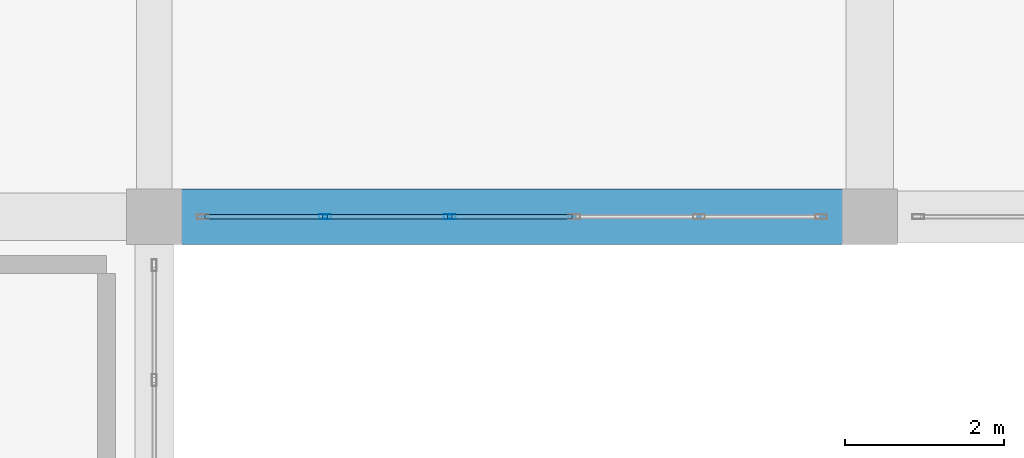
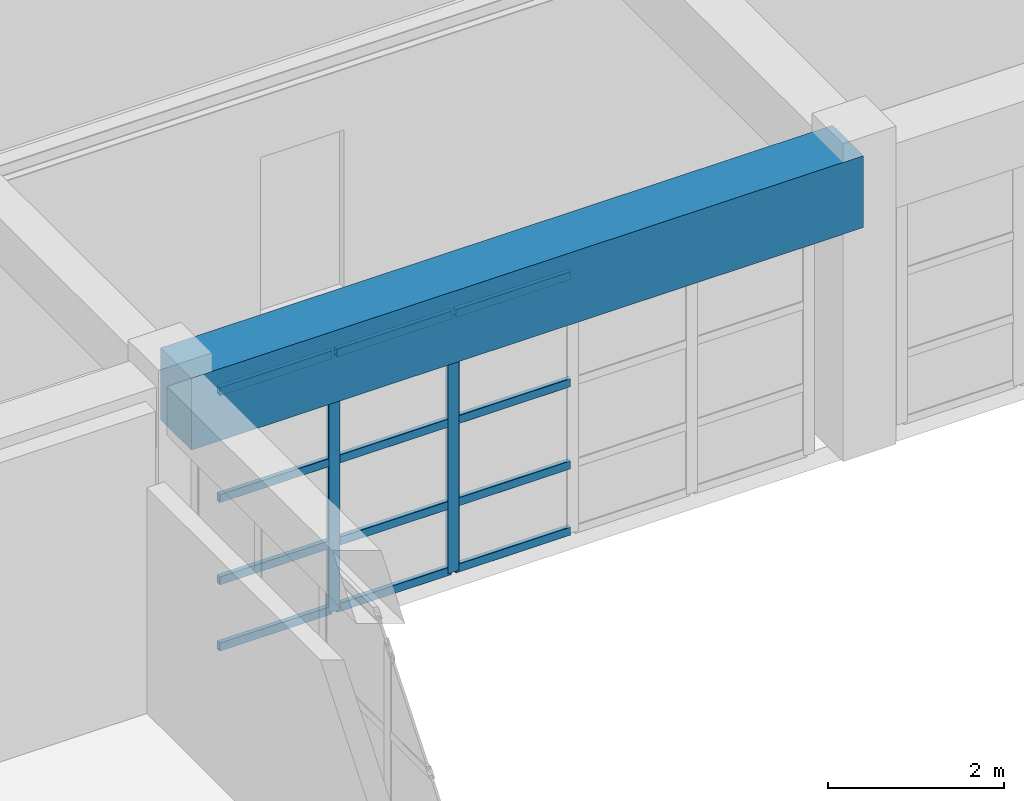
# One storey, part 26 of 133: 14 members, 1 beam, 1 element without a shape of its own.
"""IFC4 building model written with IfcOpenShell, lengths in metres."""

from ifc_helpers import new_model, si_unit, direction, frame, origin, origin_2d, place, context, subcontext, project, spatial, rectangle, hollow_rectangle, extrude, material, material_profile, profile_set, type_object, element, aggregate, save


model = new_model("IFC4")

# Units and contexts
model_context = context("Model", 3, precision=1e-05, world=origin(), true_north=direction((0.0, 1.0)))
body_context = subcontext(model_context, "Body", "Model", "MODEL_VIEW")
ifc_project = project(units=[si_unit("LENGTHUNIT", "METRE"), si_unit("AREAUNIT", "SQUARE_METRE"), si_unit("VOLUMEUNIT", "CUBIC_METRE"), si_unit("PLANEANGLEUNIT", "RADIAN"), si_unit("MASSUNIT", "GRAM", prefix="KILO")], contexts=[model_context])

# Site, building, storey
site_placement = place(None, origin())
site = spatial("IfcSite", under=ifc_project, at=site_placement, CompositionType="ELEMENT")
building_placement = place(site_placement, origin())
building = spatial("IfcBuilding", under=site, at=building_placement, Name="Miravela Opera House", CompositionType="ELEMENT")
storey_placement = place(building_placement, frame((0.0, 0.0, 5.10009765625)))
storey = spatial("IfcBuildingStorey", under=building, at=storey_placement, Name="L01", CompositionType="ELEMENT", Elevation=5.10009765625)

# Curtain wall, members
ifc_material_1 = material(Name="Anodised architectural bronze aluminium 6063-T6", Category="aluminium")
curtain_wall_type = type_object("IfcCurtainWallType", Name="ARC-CW-06", PredefinedType="NOTDEFINED", material=ifc_material_1)
curtain_wall_placement = place(storey_placement, origin())
curtain_wall = element("IfcCurtainWall", 1, at=curtain_wall_placement, inside=storey, type_object=curtain_wall_type, Name="Courtyard Arcade Curtain Wall CW-L01-124", PredefinedType="NOTDEFINED")
ifc_material_profile_1 = material_profile(ifc_material_1, hollow_rectangle(XDim=0.06005859375, YDim=0.14990234375, WallThickness=0.00390625, InnerFilletRadius=0.001953125, OuterFilletRadius=0.00390625, at=origin_2d()), Name="CWM-60X150")
ifc_profile_set_1 = profile_set([ifc_material_profile_1])
member_type_1 = type_object("IfcMemberType", Name="ARC-CWM-150", PredefinedType="MULLION", material=ifc_profile_set_1)
member_1_placement = place(storey_placement, frame((29.14794921875, 28.0, 0.0), z_axis=(0.0, 0.0, 1.0), x_axis=(0.0, 1.0, 0.0)))
member_1 = element("IfcMember", 2, at=member_1_placement, type_object=member_type_1, Name="CW-06 mullion 2", PredefinedType="MULLION", context=body_context, shape_type="SweptSolid", body=[
    extrude(hollow_rectangle(XDim=0.06005859375, YDim=0.14990234375, WallThickness=0.00390625, InnerFilletRadius=0.001953125, OuterFilletRadius=0.00390625, at=origin_2d()), origin(), (0.0, 0.0, 1.0), 3.60986328125),
])
member_2_placement = place(storey_placement, frame((30.716064453125, 28.0, 0.0), z_axis=(0.0, 0.0, 1.0), x_axis=(0.0, 1.0, 0.0)))
member_2 = element("IfcMember", 3, at=member_2_placement, type_object=member_type_1, Name="CW-06 mullion 3", PredefinedType="MULLION", context=body_context, shape_type="SweptSolid", body=[
    extrude(hollow_rectangle(XDim=0.06005859375, YDim=0.14990234375, WallThickness=0.00390625, InnerFilletRadius=0.001953125, OuterFilletRadius=0.00390625, at=origin_2d()), origin(), (0.0, 0.0, 1.0), 3.60986328125),
])
ifc_material_profile_2 = material_profile(ifc_material_1, hollow_rectangle(XDim=0.06005859375, YDim=0.114990234375, WallThickness=0.00390625, InnerFilletRadius=0.001953125, OuterFilletRadius=0.00390625, at=origin_2d()), Name="CWT-60X115")
ifc_profile_set_2 = profile_set([ifc_material_profile_2])
member_type_2 = type_object("IfcMemberType", Name="ARC-CWT-115", PredefinedType="USERDEFINED", material=ifc_profile_set_2)
member_3_placement = place(storey_placement, frame((27.639892578125, 28.0, 0.02978515625), z_axis=(1.0, 0.0, 0.0), x_axis=(0.0, 1.0, 0.0)))
member_3 = element("IfcMember", 4, at=member_3_placement, type_object=member_type_2, Name="CW-06 transom 1.1", ObjectType="TRANSOM", PredefinedType="USERDEFINED", context=body_context, shape_type="SweptSolid", body=[
    extrude(hollow_rectangle(XDim=0.06005859375, YDim=0.114990234375, WallThickness=0.00390625, InnerFilletRadius=0.001953125, OuterFilletRadius=0.00390625, at=origin_2d()), origin(), (0.0, 0.0, 1.0), 1.47802734375),
])
member_4_placement = place(storey_placement, frame((27.639892578125, 28.0, 0.949951171875), z_axis=(1.0, 0.0, 0.0), x_axis=(0.0, 1.0, 0.0)))
member_4 = element("IfcMember", 5, at=member_4_placement, type_object=member_type_2, Name="CW-06 transom 1.2", ObjectType="TRANSOM", PredefinedType="USERDEFINED", context=body_context, shape_type="SweptSolid", body=[
    extrude(hollow_rectangle(XDim=0.06005859375, YDim=0.114990234375, WallThickness=0.00390625, InnerFilletRadius=0.001953125, OuterFilletRadius=0.00390625, at=origin_2d()), origin(), (0.0, 0.0, 1.0), 1.47802734375),
])
member_5_placement = place(storey_placement, frame((27.639892578125, 28.0, 2.09375), z_axis=(1.0, 0.0, 0.0), x_axis=(0.0, 1.0, 0.0)))
member_5 = element("IfcMember", 6, at=member_5_placement, type_object=member_type_2, Name="CW-06 transom 1.3", ObjectType="TRANSOM", PredefinedType="USERDEFINED", context=body_context, shape_type="SweptSolid", body=[
    extrude(hollow_rectangle(XDim=0.06005859375, YDim=0.114990234375, WallThickness=0.00390625, InnerFilletRadius=0.001953125, OuterFilletRadius=0.00390625, at=origin_2d()), origin(), (0.0, 0.0, 1.0), 1.47802734375),
])
member_6_placement = place(storey_placement, frame((27.639892578125, 28.0, 3.579833984375), z_axis=(1.0, 0.0, 0.0), x_axis=(0.0, 1.0, 0.0)))
member_6 = element("IfcMember", 7, at=member_6_placement, type_object=member_type_2, Name="CW-06 transom 1.4", ObjectType="TRANSOM", PredefinedType="USERDEFINED", context=body_context, shape_type="SweptSolid", body=[
    extrude(hollow_rectangle(XDim=0.06005859375, YDim=0.114990234375, WallThickness=0.00390625, InnerFilletRadius=0.001953125, OuterFilletRadius=0.00390625, at=origin_2d()), origin(), (0.0, 0.0, 1.0), 1.47802734375),
])
member_7_placement = place(storey_placement, frame((29.177978515625, 28.0, 0.02978515625), z_axis=(1.0, 0.0, 0.0), x_axis=(0.0, 1.0, 0.0)))
member_7 = element("IfcMember", 8, at=member_7_placement, type_object=member_type_2, Name="CW-06 transom 2.1", ObjectType="TRANSOM", PredefinedType="USERDEFINED", context=body_context, shape_type="SweptSolid", body=[
    extrude(hollow_rectangle(XDim=0.06005859375, YDim=0.114990234375, WallThickness=0.00390625, InnerFilletRadius=0.001953125, OuterFilletRadius=0.00390625, at=origin_2d()), origin(), (0.0, 0.0, 1.0), 1.508056640625),
])
member_8_placement = place(storey_placement, frame((29.177978515625, 28.0, 0.949951171875), z_axis=(1.0, 0.0, 0.0), x_axis=(0.0, 1.0, 0.0)))
member_8 = element("IfcMember", 9, at=member_8_placement, type_object=member_type_2, Name="CW-06 transom 2.2", ObjectType="TRANSOM", PredefinedType="USERDEFINED", context=body_context, shape_type="SweptSolid", body=[
    extrude(hollow_rectangle(XDim=0.06005859375, YDim=0.114990234375, WallThickness=0.00390625, InnerFilletRadius=0.001953125, OuterFilletRadius=0.00390625, at=origin_2d()), origin(), (0.0, 0.0, 1.0), 1.508056640625),
])
member_9_placement = place(storey_placement, frame((29.177978515625, 28.0, 2.09375), z_axis=(1.0, 0.0, 0.0), x_axis=(0.0, 1.0, 0.0)))
member_9 = element("IfcMember", 10, at=member_9_placement, type_object=member_type_2, Name="CW-06 transom 2.3", ObjectType="TRANSOM", PredefinedType="USERDEFINED", context=body_context, shape_type="SweptSolid", body=[
    extrude(hollow_rectangle(XDim=0.06005859375, YDim=0.114990234375, WallThickness=0.00390625, InnerFilletRadius=0.001953125, OuterFilletRadius=0.00390625, at=origin_2d()), origin(), (0.0, 0.0, 1.0), 1.508056640625),
])
member_10_placement = place(storey_placement, frame((29.177978515625, 28.0, 3.579833984375), z_axis=(1.0, 0.0, 0.0), x_axis=(0.0, 1.0, 0.0)))
member_10 = element("IfcMember", 11, at=member_10_placement, type_object=member_type_2, Name="CW-06 transom 2.4", ObjectType="TRANSOM", PredefinedType="USERDEFINED", context=body_context, shape_type="SweptSolid", body=[
    extrude(hollow_rectangle(XDim=0.06005859375, YDim=0.114990234375, WallThickness=0.00390625, InnerFilletRadius=0.001953125, OuterFilletRadius=0.00390625, at=origin_2d()), origin(), (0.0, 0.0, 1.0), 1.508056640625),
])
member_11_placement = place(storey_placement, frame((30.74609375, 28.0, 0.02978515625), z_axis=(1.0, 0.0, 0.0), x_axis=(0.0, 1.0, 0.0)))
member_11 = element("IfcMember", 12, at=member_11_placement, type_object=member_type_2, Name="CW-06 transom 3.1", ObjectType="TRANSOM", PredefinedType="USERDEFINED", context=body_context, shape_type="SweptSolid", body=[
    extrude(hollow_rectangle(XDim=0.06005859375, YDim=0.114990234375, WallThickness=0.00390625, InnerFilletRadius=0.001953125, OuterFilletRadius=0.00390625, at=origin_2d()), origin(), (0.0, 0.0, 1.0), 1.5078125),
])
member_12_placement = place(storey_placement, frame((30.74609375, 28.0, 0.949951171875), z_axis=(1.0, 0.0, 0.0), x_axis=(0.0, 1.0, 0.0)))
member_12 = element("IfcMember", 13, at=member_12_placement, type_object=member_type_2, Name="CW-06 transom 3.2", ObjectType="TRANSOM", PredefinedType="USERDEFINED", context=body_context, shape_type="SweptSolid", body=[
    extrude(hollow_rectangle(XDim=0.06005859375, YDim=0.114990234375, WallThickness=0.00390625, InnerFilletRadius=0.001953125, OuterFilletRadius=0.00390625, at=origin_2d()), origin(), (0.0, 0.0, 1.0), 1.5078125),
])
member_13_placement = place(storey_placement, frame((30.74609375, 28.0, 2.09375), z_axis=(1.0, 0.0, 0.0), x_axis=(0.0, 1.0, 0.0)))
member_13 = element("IfcMember", 14, at=member_13_placement, type_object=member_type_2, Name="CW-06 transom 3.3", ObjectType="TRANSOM", PredefinedType="USERDEFINED", context=body_context, shape_type="SweptSolid", body=[
    extrude(hollow_rectangle(XDim=0.06005859375, YDim=0.114990234375, WallThickness=0.00390625, InnerFilletRadius=0.001953125, OuterFilletRadius=0.00390625, at=origin_2d()), origin(), (0.0, 0.0, 1.0), 1.5078125),
])
member_14_placement = place(storey_placement, frame((30.74609375, 28.0, 3.579833984375), z_axis=(1.0, 0.0, 0.0), x_axis=(0.0, 1.0, 0.0)))
member_14 = element("IfcMember", 15, at=member_14_placement, type_object=member_type_2, Name="CW-06 transom 3.4", ObjectType="TRANSOM", PredefinedType="USERDEFINED", context=body_context, shape_type="SweptSolid", body=[
    extrude(hollow_rectangle(XDim=0.06005859375, YDim=0.114990234375, WallThickness=0.00390625, InnerFilletRadius=0.001953125, OuterFilletRadius=0.00390625, at=origin_2d()), origin(), (0.0, 0.0, 1.0), 1.5078125),
])
aggregate(curtain_wall, [member_1, member_2, member_3, member_4, member_5, member_6, member_7, member_8, member_9, member_10, member_11, member_12, member_13, member_14])

# Beam
ifc_material_2 = material(Name="Concrete C40/50", Category="concrete")
ifc_material_profile_3 = material_profile(ifc_material_2, rectangle(XDim=0.699951171875, YDim=1.0, at=origin_2d()), Name="RC-BM-700X1000")
ifc_profile_set_3 = profile_set([ifc_material_profile_3])
beam_type = type_object("IfcBeamType", Name="STR-BM-RC700X1000", PredefinedType="BEAM", material=ifc_profile_set_3)
beam_placement = place(storey_placement, frame((27.080078125, 28.0, 3.659912109375), z_axis=(1.0, 0.0, 0.0), x_axis=(0.0, 1.0, 0.0)))
element("IfcBeam", 16, at=beam_placement, inside=storey, type_object=beam_type, Name="Floor Girder L01 4-5/D", PredefinedType="BEAM", context=body_context, shape_type="SweptSolid", body=[
    extrude(rectangle(XDim=0.699951171875, YDim=1.0, at=origin_2d()), origin(), (0.0, 0.0, 1.0), 8.83984375),
])

save(model, "model.ifc")
